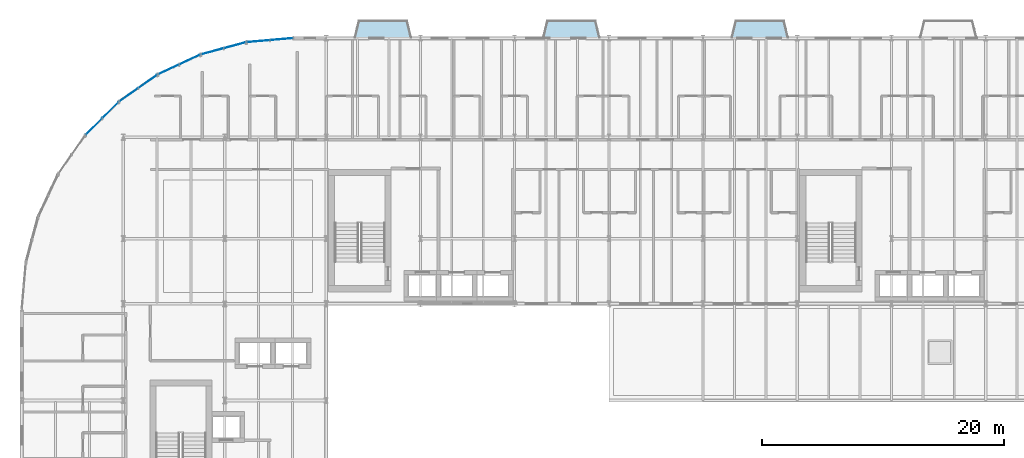
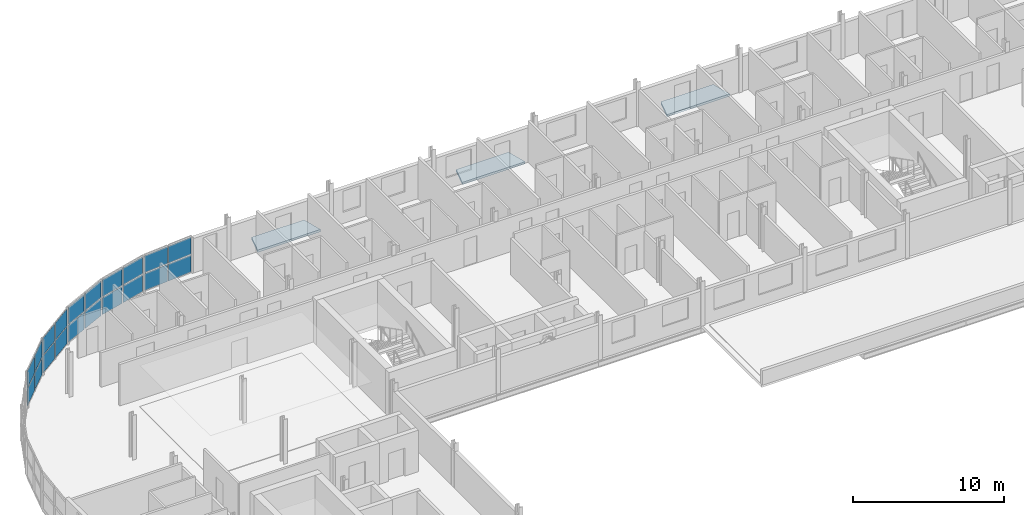
# One storey, part 16 of 36: 20 plates, 3 slabs, 5 elements without a shape of their own.
"""IFC4 building model written with IfcOpenShell, lengths in metres."""

from ifc_helpers import new_model, si_unit, direction, frame, origin, origin_2d, place, context, subcontext, project, spatial, polyline, rectangle, outline, extrude, material, layer, layer_set, type_object, element, aggregate, save


model = new_model("IFC4")

# Units and contexts
model_context = context("Model", 3, precision=1e-05, world=origin(), true_north=direction((0.0, 1.0)))
body_context = subcontext(model_context, "Body", "Model", "MODEL_VIEW")
ifc_project = project(units=[si_unit("LENGTHUNIT", "METRE"), si_unit("AREAUNIT", "SQUARE_METRE"), si_unit("VOLUMEUNIT", "CUBIC_METRE"), si_unit("PLANEANGLEUNIT", "RADIAN"), si_unit("MASSUNIT", "GRAM", prefix="KILO")], contexts=[model_context])

# Site, building, storey
site_placement = place(None, origin())
site = spatial("IfcSite", under=ifc_project, at=site_placement, CompositionType="ELEMENT")
building_placement = place(site_placement, origin())
building = spatial("IfcBuilding", under=site, at=building_placement, Name="Sefraquen Railside Congress Hotel", CompositionType="ELEMENT")
storey_placement = place(building_placement, frame((0.0, 0.0, 24.60009765625)))
storey = spatial("IfcBuildingStorey", under=building, at=storey_placement, Name="L05", CompositionType="ELEMENT", Elevation=24.60009765625)

# Curtain wall, plates
ifc_material_1 = material(Name="Thermally broken anodised aluminium and low-E double glazing", Category="aluminium")
ifc_layer_1 = layer(ifc_material_1, 0.199951171875)
ifc_layer_set_1 = layer_set([ifc_layer_1], Name="Thermally broken anodised aluminium and low-E double glazing")
curtain_wall_type_1 = type_object("IfcCurtainWallType", Name="TCW-UCW-14", PredefinedType="USERDEFINED", material=ifc_layer_set_1)
curtain_wall_1_placement = place(storey_placement, origin())
curtain_wall_1 = element("IfcCurtainWall", 1, at=curtain_wall_1_placement, inside=storey, type_object=curtain_wall_type_1, Name="Rotunda L05 curved curtain wall facet 1", ObjectType="UNITISED CURTAIN WALL", PredefinedType="USERDEFINED")
ifc_material_2 = material(Name="Solar-control low-E double glazing", Category="glass")
ifc_layer_2 = layer(ifc_material_2, 0.02392578125)
ifc_layer_set_2 = layer_set([ifc_layer_2], Name="Solar-control low-E double glazing")
plate_type_1 = type_object("IfcPlateType", Name="TP-CWP-01", PredefinedType="CURTAIN_PANEL", material=ifc_layer_set_2)
plate_1_placement = place(storey_placement, frame((21.50341796875, 117.912841796875, 0.0400390625), z_axis=(0.0, 0.0, 1.0), x_axis=(-0.996196219095, -0.087138355857, 0.0)))
plate_1 = element("IfcPlate", 2, at=plate_1_placement, type_object=plate_type_1, Name="CW-L05-ROT-01 panel 1.1", PredefinedType="CURTAIN_PANEL", context=body_context, shape_type="SweptSolid", body=[
    extrude(rectangle(XDim=1.8310546875, YDim=0.02392578125, at=origin_2d()), origin(), (0.0, 0.0, 1.0), 1.364990234375),
])
plate_2_placement = place(storey_placement, frame((19.589599609375, 117.745361328125, 0.0400390625), z_axis=(0.0, 0.0, 1.0), x_axis=(-0.996196219095, -0.087138355857, 0.0)))
plate_2 = element("IfcPlate", 3, at=plate_2_placement, type_object=plate_type_1, Name="CW-L05-ROT-01 panel 1.2", PredefinedType="CURTAIN_PANEL", context=body_context, shape_type="SweptSolid", body=[
    extrude(rectangle(XDim=1.8310546875, YDim=0.02392578125, at=origin_2d()), origin(), (0.0, 0.0, 1.0), 1.364990234375),
])

ifc_layer_3 = layer(ifc_material_1, 0.199951171875)
ifc_layer_set_3 = layer_set([ifc_layer_3], Name="Thermally broken anodised aluminium and low-E double glazing")
curtain_wall_type_2 = type_object("IfcCurtainWallType", Name="TCW-UCW-15", PredefinedType="USERDEFINED", material=ifc_layer_set_3)
curtain_wall_2_placement = place(storey_placement, origin())
curtain_wall_2 = element("IfcCurtainWall", 4, at=curtain_wall_2_placement, inside=storey, type_object=curtain_wall_type_2, Name="Rotunda L05 curved curtain wall facet 2", ObjectType="UNITISED CURTAIN WALL", PredefinedType="USERDEFINED")
plate_3_placement = place(storey_placement, frame((17.62646484375, 117.399169921875, 0.0400390625), z_axis=(0.0, 0.0, 1.0), x_axis=(-0.96593486019, -0.258785327773, 0.0)))
plate_3 = element("IfcPlate", 5, at=plate_3_placement, type_object=plate_type_1, Name="CW-L05-ROT-02 panel 1.1", PredefinedType="CURTAIN_PANEL", context=body_context, shape_type="SweptSolid", body=[
    extrude(rectangle(XDim=1.8310546875, YDim=0.02392578125, at=origin_2d()), origin(), (0.0, 0.0, 1.0), 1.364990234375),
])
plate_4_placement = place(storey_placement, frame((15.77099609375, 116.902099609375, 0.0400390625), z_axis=(0.0, 0.0, 1.0), x_axis=(-0.96593486019, -0.258785327773, 0.0)))
plate_4 = element("IfcPlate", 6, at=plate_4_placement, type_object=plate_type_1, Name="CW-L05-ROT-02 panel 1.2", PredefinedType="CURTAIN_PANEL", context=body_context, shape_type="SweptSolid", body=[
    extrude(rectangle(XDim=1.8310546875, YDim=0.02392578125, at=origin_2d()), origin(), (0.0, 0.0, 1.0), 1.364990234375),
])

ifc_layer_4 = layer(ifc_material_1, 0.199951171875)
ifc_layer_set_4 = layer_set([ifc_layer_4], Name="Thermally broken anodised aluminium and low-E double glazing")
curtain_wall_type_3 = type_object("IfcCurtainWallType", Name="TCW-UCW-16", PredefinedType="USERDEFINED", material=ifc_layer_set_4)
curtain_wall_3_placement = place(storey_placement, origin())
curtain_wall_3 = element("IfcCurtainWall", 7, at=curtain_wall_3_placement, inside=storey, type_object=curtain_wall_type_3, Name="Rotunda L05 curved curtain wall facet 3", ObjectType="UNITISED CURTAIN WALL", PredefinedType="USERDEFINED")
plate_5_placement = place(storey_placement, frame((13.897705078125, 116.22021484375, 0.0400390625), z_axis=(0.0, 0.0, 1.0), x_axis=(-0.906300410818, -0.422634079731, 0.0)))
plate_5 = element("IfcPlate", 8, at=plate_5_placement, type_object=plate_type_1, Name="CW-L05-ROT-03 panel 1.1", PredefinedType="CURTAIN_PANEL", context=body_context, shape_type="SweptSolid", body=[
    extrude(rectangle(XDim=1.830810546875, YDim=0.02392578125, at=origin_2d()), origin(), (0.0, 0.0, 1.0), 1.364990234375),
])
plate_6_placement = place(storey_placement, frame((12.15673828125, 115.408447265625, 0.0400390625), z_axis=(0.0, 0.0, 1.0), x_axis=(-0.906300410818, -0.422634079731, 0.0)))
plate_6 = element("IfcPlate", 9, at=plate_6_placement, type_object=plate_type_1, Name="CW-L05-ROT-03 panel 1.2", PredefinedType="CURTAIN_PANEL", context=body_context, shape_type="SweptSolid", body=[
    extrude(rectangle(XDim=1.830810546875, YDim=0.02392578125, at=origin_2d()), origin(), (0.0, 0.0, 1.0), 1.364990234375),
])

ifc_layer_5 = layer(ifc_material_1, 0.199951171875)
ifc_layer_set_5 = layer_set([ifc_layer_5], Name="Thermally broken anodised aluminium and low-E double glazing")
curtain_wall_type_4 = type_object("IfcCurtainWallType", Name="TCW-UCW-17", PredefinedType="USERDEFINED", material=ifc_layer_set_5)
curtain_wall_4_placement = place(storey_placement, origin())
curtain_wall_4 = element("IfcCurtainWall", 10, at=curtain_wall_4_placement, inside=storey, type_object=curtain_wall_type_4, Name="Rotunda L05 curved curtain wall facet 4", ObjectType="UNITISED CURTAIN WALL", PredefinedType="USERDEFINED")
plate_7_placement = place(storey_placement, frame((10.430419921875, 114.411865234375, 0.0400390625), z_axis=(0.0, 0.0, 1.0), x_axis=(-0.819132022195, -0.573605029802, 0.0)))
plate_7 = element("IfcPlate", 11, at=plate_7_placement, type_object=plate_type_1, Name="CW-L05-ROT-04 panel 1.1", PredefinedType="CURTAIN_PANEL", context=body_context, shape_type="SweptSolid", body=[
    extrude(rectangle(XDim=1.8310546875, YDim=0.02392578125, at=origin_2d()), origin(), (0.0, 0.0, 1.0), 1.364990234375),
])
plate_8_placement = place(storey_placement, frame((8.856689453125, 113.309814453125, 0.0400390625), z_axis=(0.0, 0.0, 1.0), x_axis=(-0.819132022195, -0.573605029802, 0.0)))
plate_8 = element("IfcPlate", 12, at=plate_8_placement, type_object=plate_type_1, Name="CW-L05-ROT-04 panel 1.2", PredefinedType="CURTAIN_PANEL", context=body_context, shape_type="SweptSolid", body=[
    extrude(rectangle(XDim=1.8310546875, YDim=0.02392578125, at=origin_2d()), origin(), (0.0, 0.0, 1.0), 1.364990234375),
])

ifc_layer_6 = layer(ifc_material_1, 0.199951171875)
ifc_layer_set_6 = layer_set([ifc_layer_6], Name="Thermally broken anodised aluminium and low-E double glazing")
curtain_wall_type_5 = type_object("IfcCurtainWallType", Name="TCW-UCW-18", PredefinedType="USERDEFINED", material=ifc_layer_set_6)
curtain_wall_5_placement = place(storey_placement, origin())
curtain_wall_5 = element("IfcCurtainWall", 13, at=curtain_wall_5_placement, inside=storey, type_object=curtain_wall_type_5, Name="Rotunda L05 curved curtain wall facet 5", ObjectType="UNITISED CURTAIN WALL", PredefinedType="USERDEFINED")
plate_9_placement = place(storey_placement, frame((7.329833984375, 112.028564453125, 0.0400390625), z_axis=(0.0, 0.0, 1.0), x_axis=(-0.707106781187, -0.707106781187, 0.0)))
plate_9 = element("IfcPlate", 14, at=plate_9_placement, type_object=plate_type_1, Name="CW-L05-ROT-05 panel 1.1", PredefinedType="CURTAIN_PANEL", context=body_context, shape_type="SweptSolid", body=[
    extrude(rectangle(XDim=1.8310546875, YDim=0.02392578125, at=origin_2d()), origin(), (0.0, 0.0, 1.0), 1.364990234375),
])
plate_10_placement = place(storey_placement, frame((5.971435546875, 110.670166015625, 0.0400390625), z_axis=(0.0, 0.0, 1.0), x_axis=(-0.707106781187, -0.707106781187, 0.0)))
plate_10 = element("IfcPlate", 15, at=plate_10_placement, type_object=plate_type_1, Name="CW-L05-ROT-05 panel 1.2", PredefinedType="CURTAIN_PANEL", context=body_context, shape_type="SweptSolid", body=[
    extrude(rectangle(XDim=1.8310546875, YDim=0.02392578125, at=origin_2d()), origin(), (0.0, 0.0, 1.0), 1.364990234375),
])

# Plate
ifc_material_3 = material(Name="Triple acoustic solar-control glazing", Category="glass")
ifc_layer_7 = layer(ifc_material_3, 0.031982421875)
ifc_layer_set_7 = layer_set([ifc_layer_7], Name="Triple acoustic solar-control glazing")
plate_type_2 = type_object("IfcPlateType", Name="TP-CWP-02", PredefinedType="CURTAIN_PANEL", material=ifc_layer_set_7)
plate_11_placement = place(storey_placement, frame((21.50341796875, 117.912841796875, 1.48486328125), z_axis=(0.0, 0.0, 1.0), x_axis=(-0.996196219095, -0.087138355857, 0.0)))
plate_11 = element("IfcPlate", 16, at=plate_11_placement, type_object=plate_type_2, Name="CW-L05-ROT-01 panel 2.1", PredefinedType="CURTAIN_PANEL", context=body_context, shape_type="SweptSolid", body=[
    extrude(rectangle(XDim=1.8310546875, YDim=0.031982421875, at=origin_2d()), origin(), (0.0, 0.0, 1.0), 1.364990234375),
])

plate_12_placement = place(storey_placement, frame((19.589599609375, 117.745361328125, 1.48486328125), z_axis=(0.0, 0.0, 1.0), x_axis=(-0.996196219095, -0.087138355857, 0.0)))
plate_12 = element("IfcPlate", 17, at=plate_12_placement, type_object=plate_type_2, Name="CW-L05-ROT-01 panel 2.2", PredefinedType="CURTAIN_PANEL", context=body_context, shape_type="SweptSolid", body=[
    extrude(rectangle(XDim=1.8310546875, YDim=0.031982421875, at=origin_2d()), origin(), (0.0, 0.0, 1.0), 1.364990234375),
])

aggregate(curtain_wall_1, [plate_1, plate_2, plate_11, plate_12])

plate_13_placement = place(storey_placement, frame((17.62646484375, 117.399169921875, 1.48486328125), z_axis=(0.0, 0.0, 1.0), x_axis=(-0.96593486019, -0.258785327773, 0.0)))
plate_13 = element("IfcPlate", 18, at=plate_13_placement, type_object=plate_type_2, Name="CW-L05-ROT-02 panel 2.1", PredefinedType="CURTAIN_PANEL", context=body_context, shape_type="SweptSolid", body=[
    extrude(rectangle(XDim=1.8310546875, YDim=0.031982421875, at=origin_2d()), origin(), (0.0, 0.0, 1.0), 1.364990234375),
])

plate_14_placement = place(storey_placement, frame((15.77099609375, 116.902099609375, 1.48486328125), z_axis=(0.0, 0.0, 1.0), x_axis=(-0.96593486019, -0.258785327773, 0.0)))
plate_14 = element("IfcPlate", 19, at=plate_14_placement, type_object=plate_type_2, Name="CW-L05-ROT-02 panel 2.2", PredefinedType="CURTAIN_PANEL", context=body_context, shape_type="SweptSolid", body=[
    extrude(rectangle(XDim=1.8310546875, YDim=0.031982421875, at=origin_2d()), origin(), (0.0, 0.0, 1.0), 1.364990234375),
])

aggregate(curtain_wall_2, [plate_3, plate_4, plate_13, plate_14])

plate_15_placement = place(storey_placement, frame((13.897705078125, 116.22021484375, 1.48486328125), z_axis=(0.0, 0.0, 1.0), x_axis=(-0.906300410818, -0.422634079731, 0.0)))
plate_15 = element("IfcPlate", 20, at=plate_15_placement, type_object=plate_type_2, Name="CW-L05-ROT-03 panel 2.1", PredefinedType="CURTAIN_PANEL", context=body_context, shape_type="SweptSolid", body=[
    extrude(rectangle(XDim=1.830810546875, YDim=0.031982421875, at=origin_2d()), origin(), (0.0, 0.0, 1.0), 1.364990234375),
])

plate_16_placement = place(storey_placement, frame((12.15673828125, 115.408447265625, 1.48486328125), z_axis=(0.0, 0.0, 1.0), x_axis=(-0.906300410818, -0.422634079731, 0.0)))
plate_16 = element("IfcPlate", 21, at=plate_16_placement, type_object=plate_type_2, Name="CW-L05-ROT-03 panel 2.2", PredefinedType="CURTAIN_PANEL", context=body_context, shape_type="SweptSolid", body=[
    extrude(rectangle(XDim=1.830810546875, YDim=0.031982421875, at=origin_2d()), origin(), (0.0, 0.0, 1.0), 1.364990234375),
])

aggregate(curtain_wall_3, [plate_5, plate_6, plate_15, plate_16])

plate_17_placement = place(storey_placement, frame((10.430419921875, 114.411865234375, 1.48486328125), z_axis=(0.0, 0.0, 1.0), x_axis=(-0.819132022195, -0.573605029802, 0.0)))
plate_17 = element("IfcPlate", 22, at=plate_17_placement, type_object=plate_type_2, Name="CW-L05-ROT-04 panel 2.1", PredefinedType="CURTAIN_PANEL", context=body_context, shape_type="SweptSolid", body=[
    extrude(rectangle(XDim=1.8310546875, YDim=0.031982421875, at=origin_2d()), origin(), (0.0, 0.0, 1.0), 1.364990234375),
])

plate_18_placement = place(storey_placement, frame((8.856689453125, 113.309814453125, 1.48486328125), z_axis=(0.0, 0.0, 1.0), x_axis=(-0.819132022195, -0.573605029802, 0.0)))
plate_18 = element("IfcPlate", 23, at=plate_18_placement, type_object=plate_type_2, Name="CW-L05-ROT-04 panel 2.2", PredefinedType="CURTAIN_PANEL", context=body_context, shape_type="SweptSolid", body=[
    extrude(rectangle(XDim=1.8310546875, YDim=0.031982421875, at=origin_2d()), origin(), (0.0, 0.0, 1.0), 1.364990234375),
])

aggregate(curtain_wall_4, [plate_7, plate_8, plate_17, plate_18])

plate_19_placement = place(storey_placement, frame((7.329833984375, 112.028564453125, 1.48486328125), z_axis=(0.0, 0.0, 1.0), x_axis=(-0.707106781187, -0.707106781187, 0.0)))
plate_19 = element("IfcPlate", 24, at=plate_19_placement, type_object=plate_type_2, Name="CW-L05-ROT-05 panel 2.1", PredefinedType="CURTAIN_PANEL", context=body_context, shape_type="SweptSolid", body=[
    extrude(rectangle(XDim=1.8310546875, YDim=0.031982421875, at=origin_2d()), origin(), (0.0, 0.0, 1.0), 1.364990234375),
])

plate_20_placement = place(storey_placement, frame((5.971435546875, 110.670166015625, 1.48486328125), z_axis=(0.0, 0.0, 1.0), x_axis=(-0.707106781187, -0.707106781187, 0.0)))
plate_20 = element("IfcPlate", 25, at=plate_20_placement, type_object=plate_type_2, Name="CW-L05-ROT-05 panel 2.2", PredefinedType="CURTAIN_PANEL", context=body_context, shape_type="SweptSolid", body=[
    extrude(rectangle(XDim=1.8310546875, YDim=0.031982421875, at=origin_2d()), origin(), (0.0, 0.0, 1.0), 1.364990234375),
])

aggregate(curtain_wall_5, [plate_9, plate_10, plate_19, plate_20])

# Slabs
ifc_material_4 = material(Name="Concrete C40/50", Category="concrete")
ifc_layer_8 = layer(ifc_material_4, 0.179931640625)
ifc_layer_set_8 = layer_set([ifc_layer_8], Name="Concrete C40/50")
slab_type = type_object("IfcSlabType", Name="TS-BL-180", PredefinedType="FLOOR", material=ifc_layer_set_8)
slab_1_placement = place(storey_placement, frame((0.0, 0.0, -0.18017578125)))
element("IfcSlab", 26, at=slab_1_placement, inside=storey, type_object=slab_type, Name="Hotel Art Nouveau balcony slab L05-01", PredefinedType="FLOOR", context=body_context, shape_type="SweptSolid", body=[
    extrude(outline(polyline([(27.5, 118.0), (32.300048828125, 118.0), (31.89990234375, 119.5), (27.89990234375, 119.5), (27.5, 118.0)])), origin(), (0.0, 0.0, 1.0), 0.18017578125),
])
slab_2_placement = place(storey_placement, frame((0.0, 0.0, -0.18017578125)))
element("IfcSlab", 27, at=slab_2_placement, inside=storey, type_object=slab_type, Name="Hotel Art Nouveau balcony slab L05-02", PredefinedType="FLOOR", context=body_context, shape_type="SweptSolid", body=[
    extrude(outline(polyline([(43.10009765625, 118.0), (47.89990234375, 118.0), (47.5, 119.5), (43.5, 119.5), (43.10009765625, 118.0)])), origin(), (0.0, 0.0, 1.0), 0.18017578125),
])
slab_3_placement = place(storey_placement, frame((0.0, 0.0, -0.18017578125)))
element("IfcSlab", 28, at=slab_3_placement, inside=storey, type_object=slab_type, Name="Hotel Art Nouveau balcony slab L05-03", PredefinedType="FLOOR", context=body_context, shape_type="SweptSolid", body=[
    extrude(outline(polyline([(58.699951171875, 118.0), (63.5, 118.0), (63.10009765625, 119.5), (59.10009765625, 119.5), (58.699951171875, 118.0)])), origin(), (0.0, 0.0, 1.0), 0.18017578125),
])

save(model, "model.ifc")
